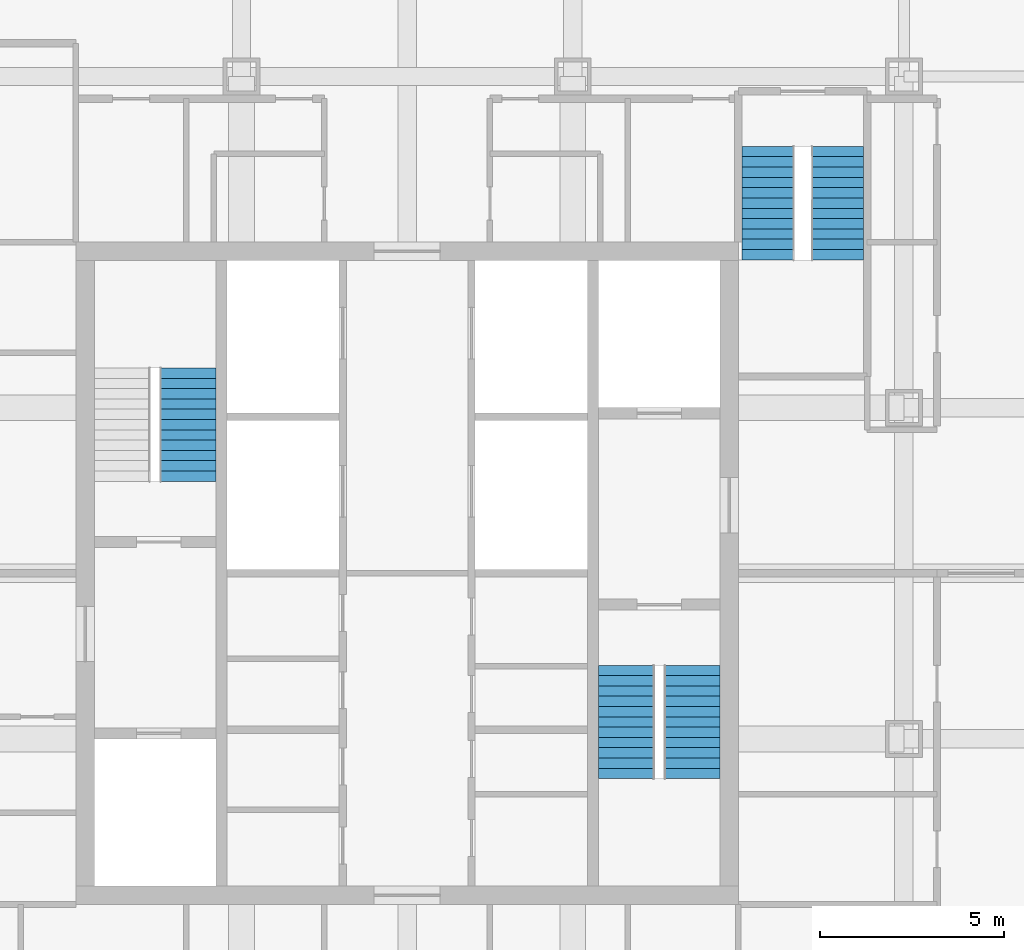
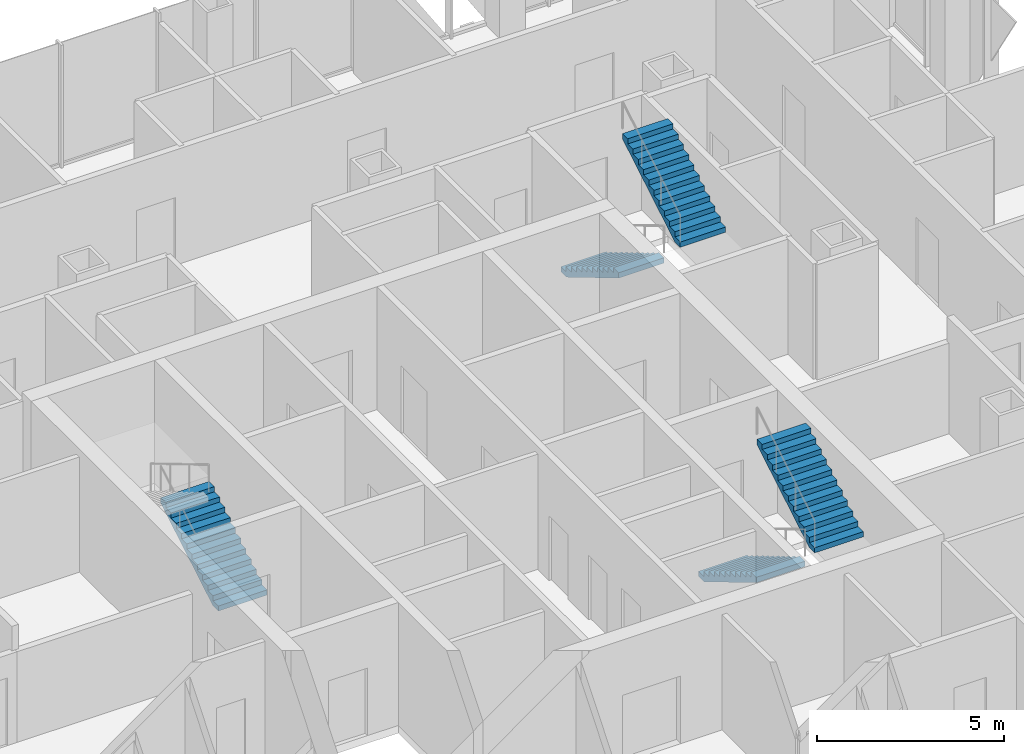
# One storey, part 17 of 18: 5 stair flights, 3 elements without a shape of their own.
"""IFC4 building model written with IfcOpenShell, lengths in metres."""

from ifc_helpers import new_model, si_unit, direction, frame, origin, place, context, subcontext, project, spatial, polyline, outline, extrude, material, type_object, element, aggregate, save


model = new_model("IFC4")

# Units and contexts
model_context = context("Model", 3, precision=1e-05, world=origin(), true_north=direction((0.0, 1.0)))
body_context = subcontext(model_context, "Body", "Model", "MODEL_VIEW")
ifc_project = project(units=[si_unit("LENGTHUNIT", "METRE"), si_unit("AREAUNIT", "SQUARE_METRE"), si_unit("VOLUMEUNIT", "CUBIC_METRE"), si_unit("PLANEANGLEUNIT", "RADIAN"), si_unit("MASSUNIT", "GRAM", prefix="KILO")], contexts=[model_context])

# Site, building, storey
site_placement = place(None, origin())
site = spatial("IfcSite", under=ifc_project, at=site_placement, CompositionType="ELEMENT")
building_placement = place(site_placement, origin())
building = spatial("IfcBuilding", under=site, at=building_placement, Name="Malebo Sky Hospital", CompositionType="ELEMENT")
storey_placement = place(building_placement, frame((0.0, 0.0, 225.0)))
storey = spatial("IfcBuildingStorey", under=building, at=storey_placement, Name="L54", CompositionType="ELEMENT", Elevation=225.0)

# Stair, stair flights
ifc_material = material(Name="Concrete C40/50", Category="concrete")
stair_type_1 = type_object("IfcStairType", Name="HALF-TURN STAIR 1400 R167", PredefinedType="HALF_TURN_STAIR", material=ifc_material)
stair_1_placement = place(storey_placement, origin())
stair_1 = element("IfcStair", 1, at=stair_1_placement, inside=storey, type_object=stair_type_1, Name="Stair S3 L54 type ST1B", PredefinedType="HALF_TURN_STAIR")
stair_flight_type_1 = type_object("IfcStairFlightType", Name="STAIR FLIGHT 1400 R167", PredefinedType="STRAIGHT", material=ifc_material)
stair_flight_1_placement = place(storey_placement, frame((69.800048828125, 73.60009765625, 0.0), z_axis=(0.0, 0.0, 1.0), x_axis=(0.0, -1.0, 0.0)))
stair_flight_1 = element("IfcStairFlight", 2, at=stair_flight_1_placement, type_object=stair_flight_type_1, Name="S3 flight 1 type SF1B", NumberOfRisers=12, NumberOfTreads=11, PredefinedType="STRAIGHT", RiserHeight=0.166666667, TreadLength=0.28, context=body_context, shape_type="SweptSolid", body=[
    extrude(outline(polyline([(0.0, 0.0), (0.0, 0.166748046875), (0.280029296875, 0.166748046875), (0.280029296875, 0.333251953125), (0.56005859375, 0.333251953125), (0.56005859375, 0.5), (0.840087890625, 0.5), (0.840087890625, 0.666748046875), (1.1201171875, 0.666748046875), (1.1201171875, 0.833251953125), (1.39990234375, 0.833251953125), (1.39990234375, 1.0), (1.679931640625, 1.0), (1.679931640625, 1.166748046875), (1.9599609375, 1.166748046875), (1.9599609375, 1.333251953125), (2.239990234375, 1.333251953125), (2.239990234375, 1.5), (2.52001953125, 1.5), (2.52001953125, 1.666748046875), (2.800048828125, 1.666748046875), (2.800048828125, 1.833251953125), (3.080078125, 1.833251953125), (3.080078125, 2.0), (3.080078125, 1.658935546875), (0.29296875, 0.0), (0.0, 0.0)])), frame((0.0, 0.699951171875, 0.0), z_axis=(0.0, -1.0, 0.0), x_axis=(1.0, 0.0, 0.0)), (0.0, 0.0, 1.0), 1.39990234375),
])
stair_flight_2_placement = place(storey_placement, frame((71.699951171875, 70.52001953125, 2.0), z_axis=(0.0, 0.0, 1.0), x_axis=(0.0, 1.0, 0.0)))
stair_flight_2 = element("IfcStairFlight", 3, at=stair_flight_2_placement, type_object=stair_flight_type_1, Name="S3 flight 2 type SF1B", NumberOfRisers=12, NumberOfTreads=11, PredefinedType="STRAIGHT", RiserHeight=0.166666667, TreadLength=0.28, context=body_context, shape_type="SweptSolid", body=[
    extrude(outline(polyline([(0.0, 0.0), (0.0, 0.166748046875), (0.280029296875, 0.166748046875), (0.280029296875, 0.333251953125), (0.56005859375, 0.333251953125), (0.56005859375, 0.5), (0.840087890625, 0.5), (0.840087890625, 0.666748046875), (1.1201171875, 0.666748046875), (1.1201171875, 0.833251953125), (1.39990234375, 0.833251953125), (1.39990234375, 1.0), (1.679931640625, 1.0), (1.679931640625, 1.166748046875), (1.9599609375, 1.166748046875), (1.9599609375, 1.333251953125), (2.239990234375, 1.333251953125), (2.239990234375, 1.5), (2.52001953125, 1.5), (2.52001953125, 1.666748046875), (2.800048828125, 1.666748046875), (2.800048828125, 1.833251953125), (3.080078125, 1.833251953125), (3.080078125, 2.0), (3.080078125, 1.658935546875), (0.29296875, 0.0), (0.0, 0.0)])), frame((0.0, 0.699951171875, 0.0), z_axis=(0.0, -1.0, 0.0), x_axis=(1.0, 0.0, 0.0)), (0.0, 0.0, 1.0), 1.39990234375),
])
aggregate(stair_1, [stair_flight_1, stair_flight_2])

# Stair, stair flight
stair_type_2 = type_object("IfcStairType", Name="HALF-TURN STAIR 1500 R167", PredefinedType="HALF_TURN_STAIR", material=ifc_material)
stair_2_placement = place(storey_placement, origin())
stair_2 = element("IfcStair", 4, at=stair_2_placement, inside=storey, type_object=stair_type_2, Name="Stair S1 L54 type ST1", PredefinedType="HALF_TURN_STAIR")
stair_flight_type_2 = type_object("IfcStairFlightType", Name="STAIR FLIGHT 1500 R167", PredefinedType="STRAIGHT", material=ifc_material)
stair_flight_3_placement = place(storey_placement, frame((54.050048828125, 64.5, 0.0), z_axis=(0.0, 0.0, 1.0), x_axis=(0.0, 1.0, 0.0)))
stair_flight_3 = element("IfcStairFlight", 5, at=stair_flight_3_placement, type_object=stair_flight_type_2, Name="S1 flight 1 type SF1", NumberOfRisers=12, NumberOfTreads=11, PredefinedType="STRAIGHT", RiserHeight=0.166666667, TreadLength=0.28, context=body_context, shape_type="SweptSolid", body=[
    extrude(outline(polyline([(0.0, 0.0), (0.0, 0.166748046875), (0.280029296875, 0.166748046875), (0.280029296875, 0.333251953125), (0.56005859375, 0.333251953125), (0.56005859375, 0.5), (0.840087890625, 0.5), (0.840087890625, 0.666748046875), (1.1201171875, 0.666748046875), (1.1201171875, 0.833251953125), (1.39990234375, 0.833251953125), (1.39990234375, 1.0), (1.679931640625, 1.0), (1.679931640625, 1.166748046875), (1.9599609375, 1.166748046875), (1.9599609375, 1.333251953125), (2.239990234375, 1.333251953125), (2.239990234375, 1.5), (2.52001953125, 1.5), (2.52001953125, 1.666748046875), (2.800048828125, 1.666748046875), (2.800048828125, 1.833251953125), (3.080078125, 1.833251953125), (3.080078125, 2.0), (3.080078125, 1.658935546875), (0.29296875, 0.0), (0.0, 0.0)])), frame((0.0, 0.75, 0.0), z_axis=(0.0, -1.0, 0.0), x_axis=(1.0, 0.0, 0.0)), (0.0, 0.0, 1.0), 1.5),
])
aggregate(stair_2, [stair_flight_3])

# Stair, stair flights
stair_3_placement = place(storey_placement, origin())
stair_3 = element("IfcStair", 6, at=stair_3_placement, inside=storey, type_object=stair_type_2, Name="Stair S2 L54 type ST1", PredefinedType="HALF_TURN_STAIR")
stair_flight_4_placement = place(storey_placement, frame((65.949951171875, 59.5, 0.0), z_axis=(0.0, 0.0, 1.0), x_axis=(0.0, -1.0, 0.0)))
stair_flight_4 = element("IfcStairFlight", 7, at=stair_flight_4_placement, type_object=stair_flight_type_2, Name="S2 flight 1 type SF1", NumberOfRisers=12, NumberOfTreads=11, PredefinedType="STRAIGHT", RiserHeight=0.166666667, TreadLength=0.28, context=body_context, shape_type="SweptSolid", body=[
    extrude(outline(polyline([(0.0, 0.0), (0.0, 0.166748046875), (0.280029296875, 0.166748046875), (0.280029296875, 0.333251953125), (0.56005859375, 0.333251953125), (0.56005859375, 0.5), (0.840087890625, 0.5), (0.840087890625, 0.666748046875), (1.1201171875, 0.666748046875), (1.1201171875, 0.833251953125), (1.39990234375, 0.833251953125), (1.39990234375, 1.0), (1.679931640625, 1.0), (1.679931640625, 1.166748046875), (1.9599609375, 1.166748046875), (1.9599609375, 1.333251953125), (2.239990234375, 1.333251953125), (2.239990234375, 1.5), (2.52001953125, 1.5), (2.52001953125, 1.666748046875), (2.800048828125, 1.666748046875), (2.800048828125, 1.833251953125), (3.080078125, 1.833251953125), (3.080078125, 2.0), (3.080078125, 1.658935546875), (0.29296875, 0.0), (0.0, 0.0)])), frame((0.0, 0.75, 0.0), z_axis=(0.0, -1.0, 0.0), x_axis=(1.0, 0.0, 0.0)), (0.0, 0.0, 1.0), 1.5),
])
stair_flight_5_placement = place(storey_placement, frame((67.75, 56.419921875, 2.0), z_axis=(0.0, 0.0, 1.0), x_axis=(0.0, 1.0, 0.0)))
stair_flight_5 = element("IfcStairFlight", 8, at=stair_flight_5_placement, type_object=stair_flight_type_2, Name="S2 flight 2 type SF1", NumberOfRisers=12, NumberOfTreads=11, PredefinedType="STRAIGHT", RiserHeight=0.166666667, TreadLength=0.28, context=body_context, shape_type="SweptSolid", body=[
    extrude(outline(polyline([(0.0, 0.0), (0.0, 0.166748046875), (0.280029296875, 0.166748046875), (0.280029296875, 0.333251953125), (0.56005859375, 0.333251953125), (0.56005859375, 0.5), (0.840087890625, 0.5), (0.840087890625, 0.666748046875), (1.1201171875, 0.666748046875), (1.1201171875, 0.833251953125), (1.39990234375, 0.833251953125), (1.39990234375, 1.0), (1.679931640625, 1.0), (1.679931640625, 1.166748046875), (1.9599609375, 1.166748046875), (1.9599609375, 1.333251953125), (2.239990234375, 1.333251953125), (2.239990234375, 1.5), (2.52001953125, 1.5), (2.52001953125, 1.666748046875), (2.800048828125, 1.666748046875), (2.800048828125, 1.833251953125), (3.080078125, 1.833251953125), (3.080078125, 2.0), (3.080078125, 1.658935546875), (0.29296875, 0.0), (0.0, 0.0)])), frame((0.0, 0.75, 0.0), z_axis=(0.0, -1.0, 0.0), x_axis=(1.0, 0.0, 0.0)), (0.0, 0.0, 1.0), 1.5),
])
aggregate(stair_3, [stair_flight_4, stair_flight_5])

save(model, "model.ifc")
